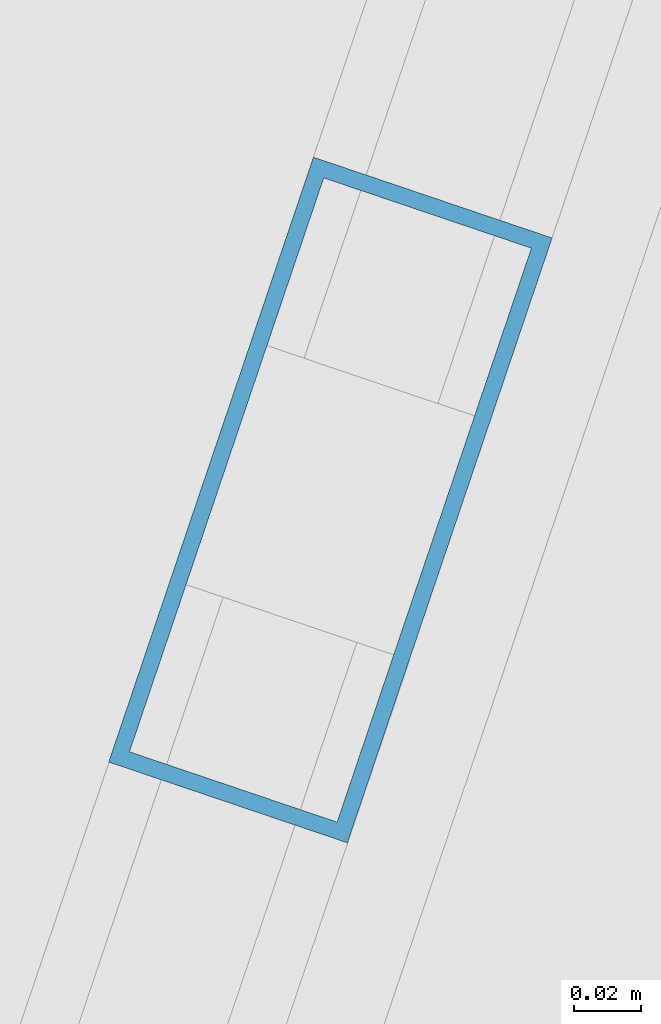
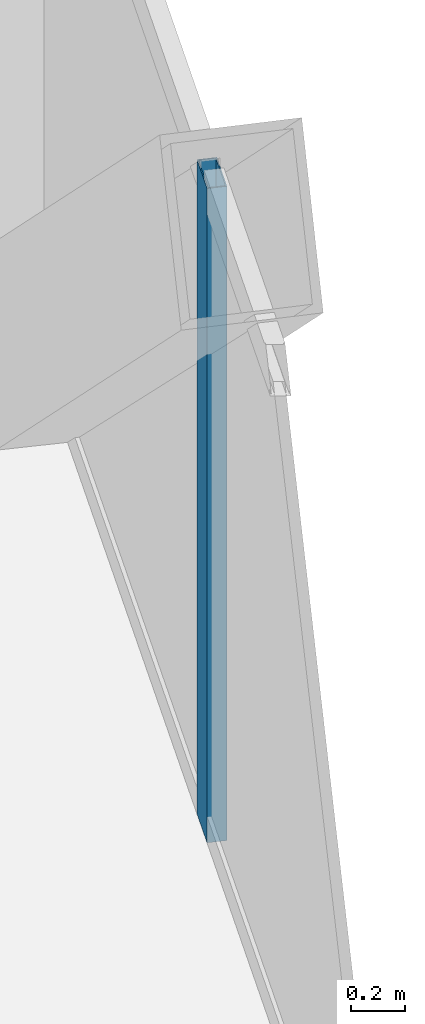
# One storey, part 12 of 29: 1 member, 1 element without a shape of its own.
"""IFC4 building model written with IfcOpenShell, lengths in metres."""

from ifc_helpers import new_model, si_unit, direction, frame, origin, origin_2d, place, context, subcontext, project, spatial, hollow_rectangle, extrude, material, material_profile, profile_set, type_object, element, aggregate, save


model = new_model("IFC4")

# Units and contexts
model_context = context("Model", 3, precision=1e-05, world=origin(), true_north=direction((0.0, 1.0)))
body_context = subcontext(model_context, "Body", "Model", "MODEL_VIEW")
ifc_project = project(units=[si_unit("LENGTHUNIT", "METRE"), si_unit("AREAUNIT", "SQUARE_METRE"), si_unit("VOLUMEUNIT", "CUBIC_METRE"), si_unit("PLANEANGLEUNIT", "RADIAN"), si_unit("MASSUNIT", "GRAM", prefix="KILO")], contexts=[model_context])

# Site, building, storey
site_placement = place(None, origin())
site = spatial("IfcSite", under=ifc_project, at=site_placement, CompositionType="ELEMENT")
building_placement = place(site_placement, origin())
building = spatial("IfcBuilding", under=site, at=building_placement, Name="Haldenkirk Collegiate Tower", CompositionType="ELEMENT")
storey_placement = place(building_placement, frame((0.0, 0.0, 267.449951171875)))
storey = spatial("IfcBuildingStorey", under=building, at=storey_placement, Name="L67", CompositionType="ELEMENT", Elevation=267.449951171875)

# Curtain wall, member
ifc_material = material(Name="Anodised architectural bronze aluminium", Category="aluminium")
curtain_wall_type = type_object("IfcCurtainWallType", Name="CW-SYS2-CONCAVE", PredefinedType="USERDEFINED", material=ifc_material)
curtain_wall_placement = place(storey_placement, origin())
curtain_wall = element("IfcCurtainWall", 1, at=curtain_wall_placement, inside=storey, type_object=curtain_wall_type, Name="L67 South concave recessed bronze-anodised curtain wall", ObjectType="UNITISED CURTAIN WALL", PredefinedType="USERDEFINED")
ifc_material_profile = material_profile(ifc_material, hollow_rectangle(XDim=0.074951171875, YDim=0.18994140625, WallThickness=0.0048828125, at=origin_2d()), Name="CW-MUL-02")
ifc_profile_set = profile_set([ifc_material_profile], Name="Anodised architectural bronze aluminium")
member_type = type_object("IfcMemberType", Name="CW-MUL-02", PredefinedType="MULLION", material=ifc_profile_set)
member_placement = place(storey_placement, frame((60.613037109375, 27.5400390625, 0.0), z_axis=(0.0, 0.0, 1.0), x_axis=(0.947210310666, -0.320612893328, 0.0)))
member = element("IfcMember", 2, at=member_placement, type_object=member_type, Name="CW-02 mullion 2", PredefinedType="MULLION", context=body_context, shape_type="SweptSolid", body=[
    extrude(hollow_rectangle(XDim=0.074951171875, YDim=0.18994140625, WallThickness=0.0048828125, at=origin_2d()), origin(), (0.0, 0.0, 1.0), 2.93798828125),
])
aggregate(curtain_wall, [member])

save(model, "model.ifc")
